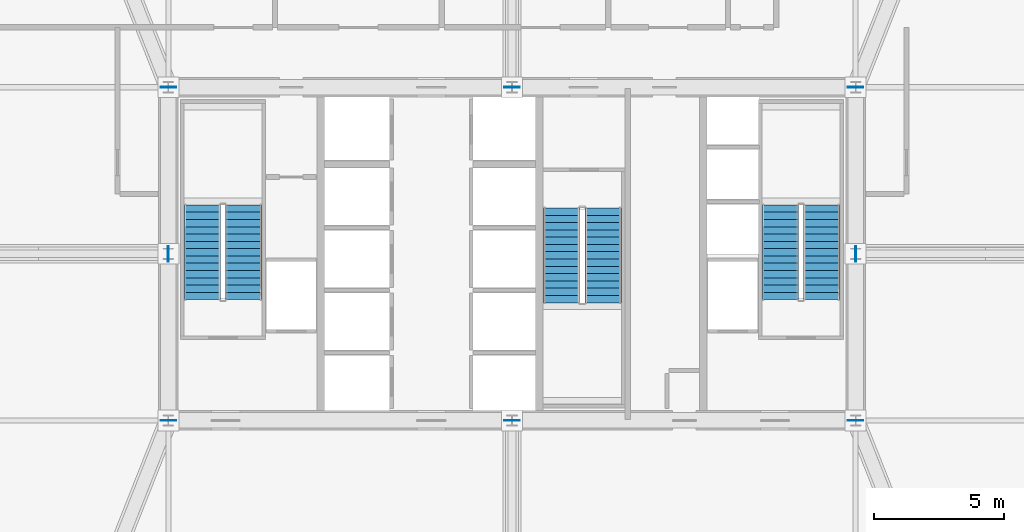
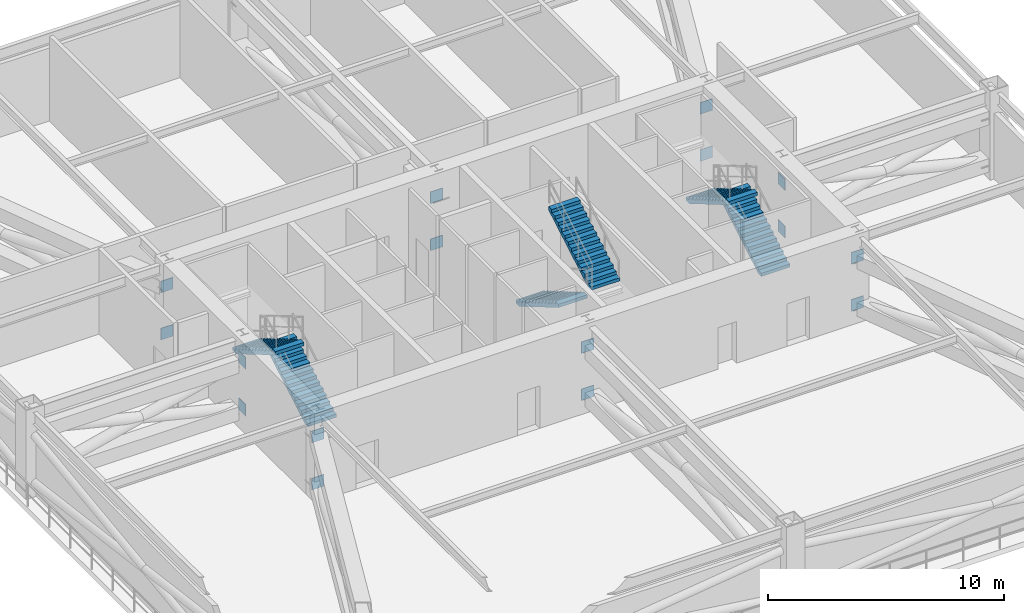
# One storey, part 6 of 10: 16 discrete accessories, 6 stair flights, 3 elements without a shape of their own.
"""IFC4 building model written with IfcOpenShell, lengths in metres."""

from ifc_helpers import new_model, si_unit, direction, frame, origin, origin_2d, place, context, subcontext, project, spatial, polyline, rectangle, outline, extrude, source, transform, mapped, material, layer, layer_set, type_object, element, aggregate, save


model = new_model("IFC4")

# Units and contexts
model_context = context("Model", 3, precision=1e-05, world=origin(), true_north=direction((0.0, 1.0)))
body_context = subcontext(model_context, "Body", "Model", "MODEL_VIEW")
ifc_project = project(units=[si_unit("LENGTHUNIT", "METRE"), si_unit("AREAUNIT", "SQUARE_METRE"), si_unit("VOLUMEUNIT", "CUBIC_METRE"), si_unit("PLANEANGLEUNIT", "RADIAN"), si_unit("MASSUNIT", "GRAM", prefix="KILO"), si_unit("THERMODYNAMICTEMPERATUREUNIT", "KELVIN"), si_unit("POWERUNIT", "WATT")], contexts=[model_context])

# Site, building, storey
site_placement = place(None, origin())
site = spatial("IfcSite", under=ifc_project, at=site_placement, CompositionType="ELEMENT")
building_placement = place(site_placement, origin())
building = spatial("IfcBuilding", under=site, at=building_placement, Name="Yuzanri Waterfront Tower", CompositionType="ELEMENT")
storey_placement = place(building_placement, frame((0.0, 0.0, 129.800048828125)))
storey = spatial("IfcBuildingStorey", under=building, at=storey_placement, Name="L34", CompositionType="ELEMENT", Elevation=129.800048828125)

# Stair, stair flights
ifc_material_1 = material(Name="Concrete C40", Category="concrete")
stair_type = type_object("IfcStairType", Name="Concrete C40 Core Dogleg Exit Stair", PredefinedType="HALF_TURN_STAIR", material=ifc_material_1)
stair_1_placement = place(storey_placement, origin())
stair_1 = element("IfcStair", 1, at=stair_1_placement, inside=storey, type_object=stair_type, Name="L34 Smoke-Proof Core Stair ST-01", PredefinedType="HALF_TURN_STAIR")
ifc_material_2 = material(Name="Concrete C40", Category="concrete")
stair_flight_type = type_object("IfcStairFlightType", Name="Concrete C40 Tall-Storey Precast Stair Flight 1380", PredefinedType="STRAIGHT", material=ifc_material_2)
shared_shape_1 = source(origin(), body_context, "Body", "SweptSolid", [
    extrude(outline(polyline([(0.0, 0.0), (0.0, 0.164306640625), (0.280029296875, 0.164306640625), (0.280029296875, 0.32861328125), (0.56005859375, 0.32861328125), (0.56005859375, 0.492919921875), (0.840087890625, 0.492919921875), (0.840087890625, 0.6572265625), (1.1201171875, 0.6572265625), (1.1201171875, 0.821533203125), (1.39990234375, 0.821533203125), (1.39990234375, 0.985595703125), (1.679931640625, 0.985595703125), (1.679931640625, 1.14990234375), (1.9599609375, 1.14990234375), (1.9599609375, 1.314208984375), (2.239990234375, 1.314208984375), (2.239990234375, 1.478515625), (2.52001953125, 1.478515625), (2.52001953125, 1.642822265625), (2.800048828125, 1.642822265625), (2.800048828125, 1.80712890625), (3.080078125, 1.80712890625), (3.080078125, 1.971435546875), (3.360107421875, 1.971435546875), (3.360107421875, 2.1357421875), (3.639892578125, 2.1357421875), (3.639892578125, 2.300048828125), (3.639892578125, 1.9619140625), (0.296142578125, 0.0), (0.0, 0.0)])), frame((0.0, 0.699951171875, 0.0), z_axis=(0.0, -1.0, 0.0), x_axis=(1.0, 0.0, 0.0)), (0.0, 0.0, 1.0), 1.39990234375),
])
stair_flight_1_placement = place(storey_placement, frame((26.699951171875, 24.0400390625, 0.0), z_axis=(0.0, 0.0, 1.0), x_axis=(0.0, 1.0, 0.0)))
stair_flight_1 = element("IfcStairFlight", 2, at=stair_flight_1_placement, type_object=stair_flight_type, Name="ST-01 flight 1", NumberOfRisers=14, NumberOfTreads=13, PredefinedType="STRAIGHT", RiserHeight=0.164285714, TreadLength=0.28, context=body_context, shape_type="MappedRepresentation", body=[
    mapped(shared_shape_1, transform((0.0, 0.0, 0.0), scale=1.0)),
])
stair_flight_2_placement = place(storey_placement, frame((25.10009765625, 27.679931640625, 2.300048828125), z_axis=(0.0, 0.0, 1.0), x_axis=(0.0, -1.0, 0.0)))
stair_flight_2 = element("IfcStairFlight", 3, at=stair_flight_2_placement, type_object=stair_flight_type, Name="ST-01 flight 2", NumberOfRisers=14, NumberOfTreads=13, PredefinedType="STRAIGHT", RiserHeight=0.164285714, TreadLength=0.28, context=body_context, shape_type="MappedRepresentation", body=[
    mapped(shared_shape_1, transform((0.0, 0.0, 0.0), scale=1.0)),
])
aggregate(stair_1, [stair_flight_1, stair_flight_2])

stair_2_placement = place(storey_placement, origin())
stair_2 = element("IfcStair", 4, at=stair_2_placement, inside=storey, type_object=stair_type, Name="L34 Smoke-Proof Core Stair ST-02", PredefinedType="HALF_TURN_STAIR")
stair_flight_3_placement = place(storey_placement, frame((48.89990234375, 24.0400390625, 0.0), z_axis=(0.0, 0.0, 1.0), x_axis=(0.0, 1.0, 0.0)))
stair_flight_3 = element("IfcStairFlight", 5, at=stair_flight_3_placement, type_object=stair_flight_type, Name="ST-02 flight 1", NumberOfRisers=14, NumberOfTreads=13, PredefinedType="STRAIGHT", RiserHeight=0.164285714, TreadLength=0.28, context=body_context, shape_type="MappedRepresentation", body=[
    mapped(shared_shape_1, transform((0.0, 0.0, 0.0), scale=1.0)),
])
stair_flight_4_placement = place(storey_placement, frame((47.300048828125, 27.679931640625, 2.300048828125), z_axis=(0.0, 0.0, 1.0), x_axis=(0.0, -1.0, 0.0)))
stair_flight_4 = element("IfcStairFlight", 6, at=stair_flight_4_placement, type_object=stair_flight_type, Name="ST-02 flight 2", NumberOfRisers=14, NumberOfTreads=13, PredefinedType="STRAIGHT", RiserHeight=0.164285714, TreadLength=0.28, context=body_context, shape_type="MappedRepresentation", body=[
    mapped(shared_shape_1, transform((0.0, 0.0, 0.0), scale=1.0)),
])
aggregate(stair_2, [stair_flight_3, stair_flight_4])

stair_3_placement = place(storey_placement, origin())
stair_3 = element("IfcStair", 7, at=stair_3_placement, inside=storey, type_object=stair_type, Name="L34 Smoke-Proof Core Stair ST-03", PredefinedType="HALF_TURN_STAIR")
stair_flight_5_placement = place(storey_placement, frame((38.89990234375, 27.56005859375, 0.0), z_axis=(0.0, 0.0, 1.0), x_axis=(0.0, -1.0, 0.0)))
stair_flight_5 = element("IfcStairFlight", 8, at=stair_flight_5_placement, type_object=stair_flight_type, Name="ST-03 flight 1", NumberOfRisers=14, NumberOfTreads=13, PredefinedType="STRAIGHT", RiserHeight=0.164285714, TreadLength=0.28, context=body_context, shape_type="MappedRepresentation", body=[
    mapped(shared_shape_1, transform((0.0, 0.0, 0.0), scale=1.0)),
])
stair_flight_6_placement = place(storey_placement, frame((40.5, 23.919921875, 2.300048828125), z_axis=(0.0, 0.0, 1.0), x_axis=(0.0, 1.0, 0.0)))
stair_flight_6 = element("IfcStairFlight", 9, at=stair_flight_6_placement, type_object=stair_flight_type, Name="ST-03 flight 2", NumberOfRisers=14, NumberOfTreads=13, PredefinedType="STRAIGHT", RiserHeight=0.164285714, TreadLength=0.28, context=body_context, shape_type="MappedRepresentation", body=[
    mapped(shared_shape_1, transform((0.0, 0.0, 0.0), scale=1.0)),
])
aggregate(stair_3, [stair_flight_5, stair_flight_6])

# Discrete accessories
ifc_material_3 = material(Name="Steel Q355B", Category="steel")
ifc_layer = layer(ifc_material_3, 0.031982421875)
ifc_layer_set = layer_set([ifc_layer], Name="Steel Q355B")
discrete_accessory_type = type_object("IfcDiscreteAccessoryType", Name="Steel Q355B Core Wall Cast-In Embed Plate 600x600x32", PredefinedType="USERDEFINED", material=ifc_layer_set)
shared_shape_2 = source(origin(), body_context, "Body", "SweptSolid", [
    extrude(rectangle(XDim=0.60009765625, YDim=0.031982421875, at=origin_2d()), origin(), (0.0, 0.0, 1.0), 0.60009765625),
])
for number, where, z_axis, x_axis, name in (
    (10, (37.0, 19.39990234375, 0.419921875), (0.0, 0.0, 1.0), (1.0, 0.0, 0.0), "Core Wall Cast-In Embed Plate EP-01"),
    (11, (37.0, 19.39990234375, 2.85986328125), (0.0, 0.0, 1.0), (1.0, 0.0, 0.0), "Core Wall Cast-In Embed Plate EP-01"),
    (12, (37.0, 32.199951171875, 0.419921875), (0.0, 0.0, 1.0), (1.0, 0.0, 0.0), "Core Wall Cast-In Embed Plate EP-01"),
    (13, (37.0, 32.199951171875, 2.85986328125), (0.0, 0.0, 1.0), (1.0, 0.0, 0.0), "Core Wall Cast-In Embed Plate EP-01"),
    (14, (23.800048828125, 25.800048828125, 0.419921875), (0.0, 0.0, 1.0), (0.0, 1.0, 0.0), "Core Wall Cast-In Embed Plate EP-01"),
    (15, (23.800048828125, 25.800048828125, 2.85986328125), (0.0, 0.0, 1.0), (0.0, 1.0, 0.0), "Core Wall Cast-In Embed Plate EP-01"),
    (16, (50.199951171875, 25.800048828125, 0.419921875), (0.0, 0.0, 1.0), (0.0, 1.0, 0.0), "Core Wall Cast-In Embed Plate EP-01"),
    (17, (50.199951171875, 25.800048828125, 2.85986328125), (0.0, 0.0, 1.0), (0.0, 1.0, 0.0), "Core Wall Cast-In Embed Plate EP-01"),
    (18, (23.800048828125, 19.39990234375, 0.419921875), (0.0, 0.0, 1.0), (1.0, 0.0, 0.0), "Core Wall Cast-In Embed Plate EP-01"),
    (19, (23.800048828125, 19.39990234375, 2.85986328125), (0.0, 0.0, 1.0), (1.0, 0.0, 0.0), "Core Wall Cast-In Embed Plate EP-01"),
    (20, (50.199951171875, 19.39990234375, 0.419921875), (0.0, 0.0, 1.0), (1.0, 0.0, 0.0), "Core Wall Cast-In Embed Plate EP-01"),
    (21, (50.199951171875, 19.39990234375, 2.85986328125), (0.0, 0.0, 1.0), (1.0, 0.0, 0.0), "Core Wall Cast-In Embed Plate EP-01"),
    (22, (23.800048828125, 32.199951171875, 0.419921875), (0.0, 0.0, 1.0), (1.0, 0.0, 0.0), "Core Wall Cast-In Embed Plate EP-01"),
    (23, (23.800048828125, 32.199951171875, 2.85986328125), (0.0, 0.0, 1.0), (1.0, 0.0, 0.0), "Core Wall Cast-In Embed Plate EP-01"),
    (24, (50.199951171875, 32.199951171875, 0.419921875), (0.0, 0.0, 1.0), (1.0, 0.0, 0.0), "Core Wall Cast-In Embed Plate EP-01"),
    (25, (50.199951171875, 32.199951171875, 2.85986328125), (0.0, 0.0, 1.0), (1.0, 0.0, 0.0), "Core Wall Cast-In Embed Plate EP-01"),
):
    element("IfcDiscreteAccessory", number, at=place(storey_placement, frame(where, z_axis=z_axis, x_axis=x_axis)), inside=storey, type_object=discrete_accessory_type, Name=name, ObjectType="CAST-IN EMBED PLATE", PredefinedType="USERDEFINED", context=body_context, shape_type="MappedRepresentation", body=[
        mapped(shared_shape_2, transform((0.0, 0.0, 0.0), scale=1.0)),
    ])

save(model, "model.ifc")
